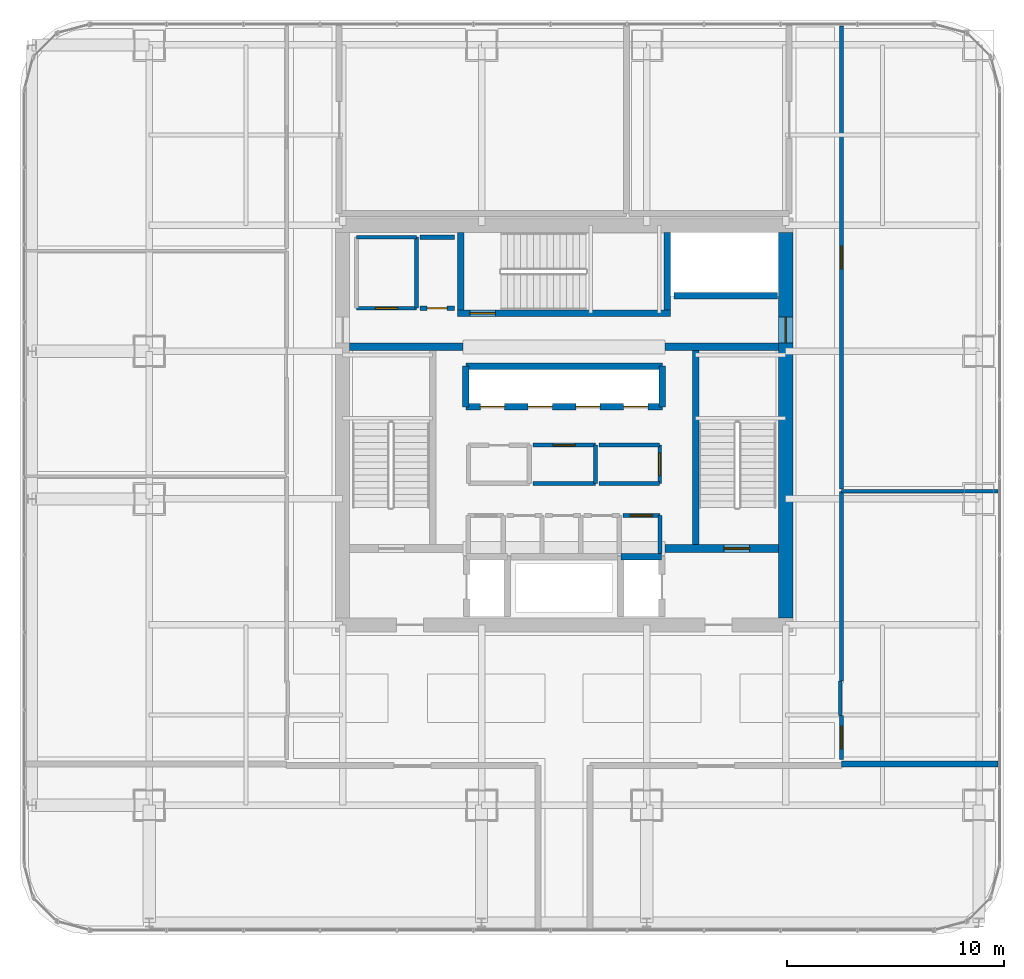
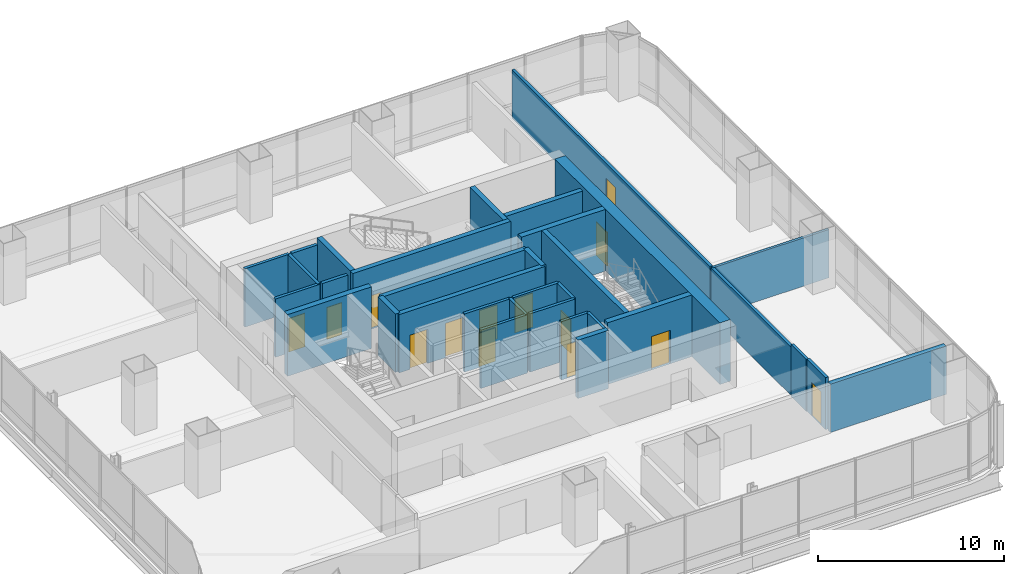
# One storey, part 30 of 36: 33 walls, 14 doors, 14 openings.
"""IFC4 building model written with IfcOpenShell, lengths in metres."""

from ifc_helpers import new_model, si_unit, direction, frame, frame_2d, origin, place, context, subcontext, project, spatial, rectangle, extrude, material, layer, layer_set, type_object, element, fill, save


model = new_model("IFC4")

# Units and contexts
model_context = context("Model", 3, precision=1e-05, world=origin(), true_north=direction((0.0, 1.0)))
body_context = subcontext(model_context, "Body", "Model", "MODEL_VIEW")
ifc_project = project(units=[si_unit("LENGTHUNIT", "METRE"), si_unit("AREAUNIT", "SQUARE_METRE"), si_unit("VOLUMEUNIT", "CUBIC_METRE"), si_unit("PLANEANGLEUNIT", "RADIAN"), si_unit("MASSUNIT", "GRAM", prefix="KILO")], contexts=[model_context])

# Site, building, storey
site_placement = place(None, origin())
site = spatial("IfcSite", under=ifc_project, at=site_placement, CompositionType="ELEMENT")
building_placement = place(site_placement, origin())
building = spatial("IfcBuilding", under=site, at=building_placement, Name="Punatoya Terracotta Tower", CompositionType="ELEMENT")
storey_placement = place(building_placement, frame((0.0, 0.0, 196.5)))
storey = spatial("IfcBuildingStorey", under=building, at=storey_placement, Name="L46", CompositionType="ELEMENT", Elevation=196.5)

# Wall
ifc_material_1 = material(Name="Concrete C40/50", Category="concrete")
ifc_layer_1 = layer(ifc_material_1, 0.280029296875)
ifc_layer_set_1 = layer_set([ifc_layer_1], Name="Concrete C40/50")
wall_type_1 = type_object("IfcWallType", Name="WL-AUD-280", PredefinedType="SOLIDWALL", material=ifc_layer_set_1)
wall_1_placement = place(storey_placement, frame((12.77001953125, -15.610107421875, 0.0), z_axis=(0.0, 0.0, 1.0), x_axis=(1.0, 0.0, 0.0)))
element("IfcWall", 1, at=wall_1_placement, inside=storey, type_object=wall_type_1, Name="L46 Open-Plan Executive Bistro Lounge Partition 32", PredefinedType="SOLIDWALL", context=body_context, shape_type="SweptSolid", body=[
    extrude(rectangle(XDim=7.199951171875, YDim=0.280029296875, at=frame_2d((3.60009765625, 0.0))), origin(), (0.0, 0.0, 1.0), 3.174072265625),
])

# Wall, opening, door
ifc_material_2 = material(Name="Concrete C60/75", Category="concrete")
ifc_layer_2 = layer(ifc_material_2, 0.64990234375)
ifc_layer_set_2 = layer_set([ifc_layer_2], Name="Concrete C60/75")
wall_type_2 = type_object("IfcWallType", Name="WL-COR-650", PredefinedType="SHEAR", material=ifc_layer_set_2)
wall_2_placement = place(storey_placement, frame((10.199951171875, 8.875, 0.0), z_axis=(0.0, 0.0, 1.0), x_axis=(0.0, -1.0, 0.0)))
wall_2 = element("IfcWall", 2, at=wall_2_placement, inside=storey, type_object=wall_type_2, Name="L46 Core Shear Wall E", PredefinedType="SHEAR", context=body_context, shape_type="SweptSolid", body=[
    extrude(rectangle(XDim=17.75, YDim=0.64990234375, at=frame_2d((8.875, 0.0))), origin(), (0.0, 0.0, 1.0), 4.050048828125),
])
opening_1_placement = place(wall_2_placement, frame((3.905029296875, 0.0, 0.0)))
opening_1 = element("IfcOpeningElement", 3, at=opening_1_placement, cuts=wall_2, Name="Opening SD-01", PredefinedType="OPENING", context=body_context, shape_type="SweptSolid", body=[
    extrude(rectangle(XDim=1.179931640625, YDim=2.199951171875, at=frame_2d((0.58984375, 1.10009765625))), frame((0.0, 0.3349609375, 0.0), z_axis=(0.0, -1.0, 0.0), x_axis=(1.0, 0.0, 0.0)), (0.0, 0.0, 1.0), 0.669921875),
])
ifc_material_3 = material(Name="Galvanised Steel Pressurized Stair Fire Door", Category="steel")
door_type_1 = type_object("IfcDoorType", Name="DR-STR-1180", OperationType="NOTDEFINED", PredefinedType="DOOR", material=ifc_material_3)
door_1_placement = place(opening_1_placement, origin())
door_1 = element("IfcDoor", 4, at=door_1_placement, inside=storey, type_object=door_type_1, Name="L46 Central Lift Lobby East Fire Door", OperationType="SINGLE_SWING_RIGHT", OverallHeight=2.199951171875, OverallWidth=1.179931640625, PredefinedType="DOOR", context=body_context, shape_type="SweptSolid", body=[
    extrude(rectangle(XDim=1.179931640625, YDim=2.199951171875, at=frame_2d((0.58984375, 1.10009765625))), frame((0.0, 0.02490234375, 0.0), z_axis=(0.0, -1.0, 0.0), x_axis=(1.0, 0.0, 0.0)), (0.0, 0.0, 1.0), 0.050048828125),
])
fill(opening_1, door_1)

# Wall
ifc_material_4 = material(Name="Gypsum Fireboard + Steel Stud", Category="steel")
ifc_layer_3 = layer(ifc_material_4, 0.179931640625)
ifc_layer_set_3 = layer_set([ifc_layer_3], Name="Gypsum Fireboard + Steel Stud")
wall_type_3 = type_object("IfcWallType", Name="WL-CORR-180", PredefinedType="PARTITIONING", material=ifc_layer_set_3)
wall_3_placement = place(storey_placement, frame((4.419921875, -5.89990234375, 0.0), z_axis=(0.0, 0.0, 1.0), x_axis=(0.0, 1.0, 0.0)))
element("IfcWall", 5, at=wall_3_placement, inside=storey, type_object=wall_type_3, Name="L46 Core Focus Booth Partition 10", PredefinedType="PARTITIONING", context=body_context, shape_type="SweptSolid", body=[
    extrude(rectangle(XDim=1.739990234375, YDim=0.179931640625, at=frame_2d((0.8701171875, 0.0))), origin(), (0.0, 0.0, 1.0), 3.830078125),
])

# Wall, opening, door
wall_4_placement = place(storey_placement, frame((4.419921875, -4.159912109375, 0.0), z_axis=(0.0, 0.0, 1.0), x_axis=(-1.0, 0.0, 0.0)))
wall_4 = element("IfcWall", 6, at=wall_4_placement, inside=storey, type_object=wall_type_3, Name="L46 Core Focus Booth Partition 11", PredefinedType="PARTITIONING", context=body_context, shape_type="SweptSolid", body=[
    extrude(rectangle(XDim=1.719970703125, YDim=0.179931640625, at=frame_2d((0.85986328125, 0.0))), origin(), (0.0, 0.0, 1.0), 3.830078125),
])
opening_2_placement = place(wall_4_placement, frame((0.35009765625, 0.0, 0.0)))
opening_2 = element("IfcOpeningElement", 7, at=opening_2_placement, cuts=wall_4, Name="Opening MD-01", PredefinedType="OPENING", context=body_context, shape_type="SweptSolid", body=[
    extrude(rectangle(XDim=1.02001953125, YDim=2.199951171875, at=frame_2d((0.510009765625, 1.10009765625))), frame((0.0, 0.099853515625, 0.0), z_axis=(0.0, -1.0, 0.0), x_axis=(1.0, 0.0, 0.0)), (0.0, 0.0, 1.0), 0.199951171875),
])
ifc_material_5 = material(Name="Aluminium + Acoustic Glass Leaf", Category="aluminium")
door_type_2 = type_object("IfcDoorType", Name="DR-MTG-1020", OperationType="NOTDEFINED", PredefinedType="DOOR", material=ifc_material_5)
door_2_placement = place(opening_2_placement, origin())
door_2 = element("IfcDoor", 8, at=door_2_placement, inside=storey, type_object=door_type_2, Name="L46 Focus Booth Door", OperationType="SINGLE_SWING_RIGHT", OverallHeight=2.199951171875, OverallWidth=1.02001953125, PredefinedType="DOOR", context=body_context, shape_type="SweptSolid", body=[
    extrude(rectangle(XDim=1.02001953125, YDim=2.199951171875, at=frame_2d((0.510009765625, 1.10009765625))), frame((0.0, 0.02490234375, 0.0), z_axis=(0.0, -1.0, 0.0), x_axis=(1.0, 0.0, 0.0)), (0.0, 0.0, 1.0), 0.050048828125),
])
fill(opening_2, door_2)

# Wall
wall_5_placement = place(storey_placement, frame((1.43994140625, -2.679931640625, 0.0), z_axis=(0.0, 0.0, 1.0), x_axis=(0.0, 1.0, 0.0)))
element("IfcWall", 9, at=wall_5_placement, inside=storey, type_object=wall_type_3, Name="L46 Center Core Briefing Pod Partition 16", PredefinedType="PARTITIONING", context=body_context, shape_type="SweptSolid", body=[
    extrude(rectangle(XDim=1.760009765625, YDim=0.179931640625, at=frame_2d((0.8798828125, 0.0))), origin(), (0.0, 0.0, 1.0), 3.830078125),
])

# Wall, opening, door
wall_6_placement = place(storey_placement, frame((1.43994140625, -0.919921875, 0.0), z_axis=(0.0, 0.0, 1.0), x_axis=(-1.0, 0.0, 0.0)))
wall_6 = element("IfcWall", 10, at=wall_6_placement, inside=storey, type_object=wall_type_3, Name="L46 Center Core Briefing Pod Partition 17", PredefinedType="PARTITIONING", context=body_context, shape_type="SweptSolid", body=[
    extrude(rectangle(XDim=2.8798828125, YDim=0.179931640625, at=frame_2d((1.43994140625, 0.0))), origin(), (0.0, 0.0, 1.0), 3.830078125),
])
opening_3_placement = place(wall_6_placement, frame((0.929931640625, 0.0, 0.0)))
opening_3 = element("IfcOpeningElement", 11, at=opening_3_placement, cuts=wall_6, Name="Opening MD-01", PredefinedType="OPENING", context=body_context, shape_type="SweptSolid", body=[
    extrude(rectangle(XDim=1.02001953125, YDim=2.199951171875, at=frame_2d((0.510009765625, 1.10009765625))), frame((0.0, 0.099853515625, 0.0), z_axis=(0.0, -1.0, 0.0), x_axis=(1.0, 0.0, 0.0)), (0.0, 0.0, 1.0), 0.199951171875),
])
door_3_placement = place(opening_3_placement, origin())
door_3 = element("IfcDoor", 12, at=door_3_placement, inside=storey, type_object=door_type_2, Name="L46 Center Briefing Pod Door", OperationType="SINGLE_SWING_RIGHT", OverallHeight=2.199951171875, OverallWidth=1.02001953125, PredefinedType="DOOR", context=body_context, shape_type="SweptSolid", body=[
    extrude(rectangle(XDim=1.02001953125, YDim=2.199951171875, at=frame_2d((0.510009765625, 1.10009765625))), frame((0.0, 0.02490234375, 0.0), z_axis=(0.0, -1.0, 0.0), x_axis=(1.0, 0.0, 0.0)), (0.0, 0.0, 1.0), 0.050048828125),
])
fill(opening_3, door_3)

# Wall
wall_7_placement = place(storey_placement, frame((-1.43994140625, -2.679931640625, 0.0), z_axis=(0.0, 0.0, 1.0), x_axis=(1.0, 0.0, 0.0)))
element("IfcWall", 13, at=wall_7_placement, inside=storey, type_object=wall_type_3, Name="L46 Center Core Briefing Pod Partition 18", PredefinedType="PARTITIONING", context=body_context, shape_type="SweptSolid", body=[
    extrude(rectangle(XDim=2.8798828125, YDim=0.179931640625, at=frame_2d((1.43994140625, 0.0))), origin(), (0.0, 0.0, 1.0), 3.830078125),
])

# Wall, opening, door
wall_8_placement = place(storey_placement, frame((4.39990234375, -2.679931640625, 0.0), z_axis=(0.0, 0.0, 1.0), x_axis=(0.0, 1.0, 0.0)))
wall_8 = element("IfcWall", 14, at=wall_8_placement, inside=storey, type_object=wall_type_3, Name="L46 Right Core Copy Room Partition 19", PredefinedType="PARTITIONING", context=body_context, shape_type="SweptSolid", body=[
    extrude(rectangle(XDim=1.760009765625, YDim=0.179931640625, at=frame_2d((0.8798828125, 0.0))), origin(), (0.0, 0.0, 1.0), 3.830078125),
])
opening_4_placement = place(wall_8_placement, frame((0.35498046875, 0.0, 0.0)))
opening_4 = element("IfcOpeningElement", 15, at=opening_4_placement, cuts=wall_8, Name="Opening OD-01", PredefinedType="OPENING", context=body_context, shape_type="SweptSolid", body=[
    extrude(rectangle(XDim=1.050048828125, YDim=2.199951171875, at=frame_2d((0.52490234375, 1.10009765625))), frame((0.0, 0.099853515625, 0.0), z_axis=(0.0, -1.0, 0.0), x_axis=(1.0, 0.0, 0.0)), (0.0, 0.0, 1.0), 0.199951171875),
])
ifc_material_6 = material(Name="Bengal Teak Solid-Core Leaf")
door_type_3 = type_object("IfcDoorType", Name="DR-OFF-1050", OperationType="NOTDEFINED", PredefinedType="DOOR", material=ifc_material_6)
door_4_placement = place(opening_4_placement, origin())
door_4 = element("IfcDoor", 16, at=door_4_placement, inside=storey, type_object=door_type_3, Name="L46 Right Copy Room Door", OperationType="SINGLE_SWING_LEFT", OverallHeight=2.199951171875, OverallWidth=1.050048828125, PredefinedType="DOOR", context=body_context, shape_type="SweptSolid", body=[
    extrude(rectangle(XDim=1.050048828125, YDim=2.199951171875, at=frame_2d((0.52490234375, 1.10009765625))), frame((0.0, 0.02490234375, 0.0), z_axis=(0.0, -1.0, 0.0), x_axis=(1.0, 0.0, 0.0)), (0.0, 0.0, 1.0), 0.050048828125),
])
fill(opening_4, door_4)

# Walls
for number, where, z_axis, x_axis, name in (
    (17, (4.39990234375, -0.919921875, 0.0), (0.0, 0.0, 1.0), (-1.0, 0.0, 0.0), "L46 Right Core Copy Room Partition 20"),
    (18, (1.60009765625, -2.679931640625, 0.0), (0.0, 0.0, 1.0), (1.0, 0.0, 0.0), "L46 Right Core Copy Room Partition 21"),
):
    element("IfcWall", number, at=place(storey_placement, frame(where, z_axis=z_axis, x_axis=x_axis)), inside=storey, type_object=wall_type_3, Name=name, PredefinedType="PARTITIONING", context=body_context, shape_type="SweptSolid", body=[
        extrude(rectangle(XDim=2.7998046875, YDim=0.179931640625, at=frame_2d((1.39990234375, 0.0))), origin(), (0.0, 0.0, 1.0), 3.830078125),
    ])
wall_9_placement = place(storey_placement, frame((-6.800048828125, 5.3798828125, 0.0), z_axis=(0.0, 0.0, 1.0), x_axis=(0.0, 1.0, 0.0)))
element("IfcWall", 19, at=wall_9_placement, inside=storey, type_object=wall_type_3, Name="L46 West Core Briefing Pod Partition 22", PredefinedType="PARTITIONING", context=body_context, shape_type="SweptSolid", body=[
    extrude(rectangle(XDim=3.27001953125, YDim=0.179931640625, at=frame_2d((1.635009765625, 0.0))), origin(), (0.0, 0.0, 1.0), 3.830078125),
])
wall_10_placement = place(storey_placement, frame((-6.800048828125, 8.64990234375, 0.0), z_axis=(0.0, 0.0, 1.0), x_axis=(-1.0, 0.0, 0.0)))
element("IfcWall", 20, at=wall_10_placement, inside=storey, type_object=wall_type_3, Name="L46 West Core Briefing Pod Partition 23", PredefinedType="PARTITIONING", context=body_context, shape_type="SweptSolid", body=[
    extrude(rectangle(XDim=2.75, YDim=0.179931640625, at=frame_2d((1.375, 0.0))), origin(), (0.0, 0.0, 1.0), 3.830078125),
])

# Wall, opening, door
wall_11_placement = place(storey_placement, frame((-9.550048828125, 5.3798828125, 0.0), z_axis=(0.0, 0.0, 1.0), x_axis=(1.0, 0.0, 0.0)))
wall_11 = element("IfcWall", 21, at=wall_11_placement, inside=storey, type_object=wall_type_3, Name="L46 West Core Briefing Pod Partition 25", PredefinedType="PARTITIONING", context=body_context, shape_type="SweptSolid", body=[
    extrude(rectangle(XDim=2.75, YDim=0.179931640625, at=frame_2d((1.375, 0.0))), origin(), (0.0, 0.0, 1.0), 3.830078125),
])
opening_5_placement = place(wall_11_placement, frame((0.864990234375, 0.0, 0.0)))
opening_5 = element("IfcOpeningElement", 22, at=opening_5_placement, cuts=wall_11, Name="Opening MD-01", PredefinedType="OPENING", context=body_context, shape_type="SweptSolid", body=[
    extrude(rectangle(XDim=1.02001953125, YDim=2.199951171875, at=frame_2d((0.510009765625, 1.10009765625))), frame((0.0, 0.099853515625, 0.0), z_axis=(0.0, -1.0, 0.0), x_axis=(1.0, 0.0, 0.0)), (0.0, 0.0, 1.0), 0.199951171875),
])
door_5_placement = place(opening_5_placement, origin())
door_5 = element("IfcDoor", 23, at=door_5_placement, inside=storey, type_object=door_type_2, Name="L46 West Briefing Pod Door", OperationType="SINGLE_SWING_RIGHT", OverallHeight=2.199951171875, OverallWidth=1.02001953125, PredefinedType="DOOR", context=body_context, shape_type="SweptSolid", body=[
    extrude(rectangle(XDim=1.02001953125, YDim=2.199951171875, at=frame_2d((0.510009765625, 1.10009765625))), frame((0.0, 0.02490234375, 0.0), z_axis=(0.0, -1.0, 0.0), x_axis=(1.0, 0.0, 0.0)), (0.0, 0.0, 1.0), 0.050048828125),
])
fill(opening_5, door_5)

wall_12_placement = place(storey_placement, frame((12.77001953125, -15.389892578125, 0.0), z_axis=(0.0, 0.0, 1.0), x_axis=(0.0, 1.0, 0.0)))
wall_12 = element("IfcWall", 24, at=wall_12_placement, inside=storey, type_object=wall_type_3, Name="L46 Open-Plan Catering Tea Pantry Partition 34", PredefinedType="PARTITIONING", context=body_context, shape_type="SweptSolid", body=[
    extrude(rectangle(XDim=2.010009765625, YDim=0.179931640625, at=frame_2d((1.0048828125, 0.0))), origin(), (0.0, 0.0, 1.0), 3.424072265625),
])
opening_6_placement = place(wall_12_placement, frame((0.47998046875, 0.0, 0.0)))
opening_6 = element("IfcOpeningElement", 25, at=opening_6_placement, cuts=wall_12, Name="Opening OD-01", PredefinedType="OPENING", context=body_context, shape_type="SweptSolid", body=[
    extrude(rectangle(XDim=1.050048828125, YDim=2.199951171875, at=frame_2d((0.52490234375, 1.10009765625))), frame((0.0, 0.099853515625, 0.0), z_axis=(0.0, -1.0, 0.0), x_axis=(1.0, 0.0, 0.0)), (0.0, 0.0, 1.0), 0.199951171875),
])
door_6_placement = place(opening_6_placement, origin())
door_6 = element("IfcDoor", 26, at=door_6_placement, inside=storey, type_object=door_type_3, Name="L46 Open-Plan Catering Tea Pantry Door", OperationType="SINGLE_SWING_RIGHT", OverallHeight=2.199951171875, OverallWidth=1.050048828125, PredefinedType="DOOR", context=body_context, shape_type="SweptSolid", body=[
    extrude(rectangle(XDim=1.050048828125, YDim=2.199951171875, at=frame_2d((0.52490234375, 1.10009765625))), frame((0.0, 0.02490234375, 0.0), z_axis=(0.0, -1.0, 0.0), x_axis=(1.0, 0.0, 0.0)), (0.0, 0.0, 1.0), 0.050048828125),
])
fill(opening_6, door_6)

# Wall
wall_13_placement = place(storey_placement, frame((12.77001953125, -11.77001953125, 0.0), z_axis=(0.0, 0.0, 1.0), x_axis=(0.0, 1.0, 0.0)))
element("IfcWall", 27, at=wall_13_placement, inside=storey, type_object=wall_type_3, Name="L46 Open-Plan Catering Tea Pantry Partition 36", PredefinedType="PARTITIONING", context=body_context, shape_type="SweptSolid", body=[
    extrude(rectangle(XDim=8.716064453125, YDim=0.179931640625, at=frame_2d((4.35791015625, 0.0))), origin(), (0.0, 0.0, 1.0), 3.174072265625),
])

# Wall, opening, door
wall_14_placement = place(storey_placement, frame((12.77001953125, -2.93408203125, 0.0), z_axis=(0.0, 0.0, 1.0), x_axis=(0.0, 1.0, 0.0)))
wall_14 = element("IfcWall", 28, at=wall_14_placement, inside=storey, type_object=wall_type_3, Name="L46 Wellness Relaxation Lounge Partition 44", PredefinedType="PARTITIONING", context=body_context, shape_type="SweptSolid", body=[
    extrude(rectangle(XDim=21.30419921875, YDim=0.179931640625, at=frame_2d((10.652099609375, 0.0))), origin(), (0.0, 0.0, 1.0), 3.174072265625),
])
opening_7_placement = place(wall_14_placement, frame((10.126953125, 0.0, 0.0)))
opening_7 = element("IfcOpeningElement", 29, at=opening_7_placement, cuts=wall_14, Name="Opening OD-01", PredefinedType="OPENING", context=body_context, shape_type="SweptSolid", body=[
    extrude(rectangle(XDim=1.050048828125, YDim=2.199951171875, at=frame_2d((0.52490234375, 1.10009765625))), frame((0.0, 0.099853515625, 0.0), z_axis=(0.0, -1.0, 0.0), x_axis=(1.0, 0.0, 0.0)), (0.0, 0.0, 1.0), 0.199951171875),
])
door_7_placement = place(opening_7_placement, origin())
door_7 = element("IfcDoor", 30, at=door_7_placement, inside=storey, type_object=door_type_3, Name="L46 Wellness Relaxation Lounge Door", OperationType="SINGLE_SWING_LEFT", OverallHeight=2.199951171875, OverallWidth=1.050048828125, PredefinedType="DOOR", context=body_context, shape_type="SweptSolid", body=[
    extrude(rectangle(XDim=1.050048828125, YDim=2.199951171875, at=frame_2d((0.52490234375, 1.10009765625))), frame((0.0, 0.02490234375, 0.0), z_axis=(0.0, -1.0, 0.0), x_axis=(1.0, 0.0, 0.0)), (0.0, 0.0, 1.0), 0.050048828125),
])
fill(opening_7, door_7)

# Wall
ifc_layer_4 = layer(ifc_material_1, 0.199951171875)
ifc_layer_set_4 = layer_set([ifc_layer_4], Name="Concrete C40/50")
wall_type_4 = type_object("IfcWallType", Name="WL-INT-200", PredefinedType="SOLIDWALL", material=ifc_layer_set_4)
wall_15_placement = place(storey_placement, frame((-5.050048828125, 8.64990234375, 0.0), z_axis=(0.0, 0.0, 1.0), x_axis=(-1.0, 0.0, 0.0)))
element("IfcWall", 31, at=wall_15_placement, inside=storey, type_object=wall_type_4, Name="L46 West Core Supply Store Partition 26", PredefinedType="SOLIDWALL", context=body_context, shape_type="SweptSolid", body=[
    extrude(rectangle(XDim=1.58984375, YDim=0.199951171875, at=frame_2d((0.794921875, 0.0))), origin(), (0.0, 0.0, 1.0), 3.830078125),
])

# Wall, opening, door
wall_16_placement = place(storey_placement, frame((-6.639892578125, 5.3798828125, 0.0), z_axis=(0.0, 0.0, 1.0), x_axis=(1.0, 0.0, 0.0)))
wall_16 = element("IfcWall", 32, at=wall_16_placement, inside=storey, type_object=wall_type_4, Name="L46 West Core Supply Store Partition 27", PredefinedType="SOLIDWALL", context=body_context, shape_type="SweptSolid", body=[
    extrude(rectangle(XDim=1.58984375, YDim=0.199951171875, at=frame_2d((0.794921875, 0.0))), origin(), (0.0, 0.0, 1.0), 3.830078125),
])
opening_8_placement = place(wall_16_placement, frame((0.3349609375, 0.0, 0.0)))
opening_8 = element("IfcOpeningElement", 33, at=opening_8_placement, cuts=wall_16, Name="Opening FD-R1", PredefinedType="OPENING", context=body_context, shape_type="SweptSolid", body=[
    extrude(rectangle(XDim=0.919921875, YDim=2.10009765625, at=frame_2d((0.4599609375, 1.050048828125))), frame((0.0, 0.10986328125, 0.0), z_axis=(0.0, -1.0, 0.0), x_axis=(1.0, 0.0, 0.0)), (0.0, 0.0, 1.0), 0.219970703125),
])
ifc_material_7 = material(Name="Galvanised Steel Riser Fire Access Door", Category="steel")
door_type_4 = type_object("IfcDoorType", Name="DR-RSR-920", OperationType="NOTDEFINED", PredefinedType="DOOR", material=ifc_material_7)
door_8_placement = place(opening_8_placement, origin())
door_8 = element("IfcDoor", 34, at=door_8_placement, inside=storey, type_object=door_type_4, Name="L46 West Core Supply Store Fire Door", OperationType="SINGLE_SWING_LEFT", OverallHeight=2.10009765625, OverallWidth=0.919921875, PredefinedType="DOOR", context=body_context, shape_type="SweptSolid", body=[
    extrude(rectangle(XDim=0.919921875, YDim=2.10009765625, at=frame_2d((0.4599609375, 1.050048828125))), frame((0.0, 0.02490234375, 0.0), z_axis=(0.0, -1.0, 0.0), x_axis=(1.0, 0.0, 0.0)), (0.0, 0.0, 1.0), 0.050048828125),
])
fill(opening_8, door_8)

# Walls
ifc_layer_5 = layer(ifc_material_1, 0.300048828125)
ifc_layer_set_5 = layer_set([ifc_layer_5], Name="Concrete C40/50")
wall_type_5 = type_object("IfcWallType", Name="WL-SHF-300", PredefinedType="SOLIDWALL", material=ifc_layer_set_5)
wall_17_placement = place(storey_placement, frame((6.050048828125, 3.449951171875, 0.0), z_axis=(0.0, 0.0, 1.0), x_axis=(0.0, -1.0, 0.0)))
element("IfcWall", 35, at=wall_17_placement, inside=storey, type_object=wall_type_5, Name="L46 Structural Stair Shaft Wall SW-ST2-W", PredefinedType="SOLIDWALL", context=body_context, shape_type="SweptSolid", body=[
    extrude(rectangle(XDim=8.949951171875, YDim=0.300048828125, at=frame_2d((4.47509765625, 0.0))), origin(), (0.0, 0.0, 1.0), 4.050048828125),
])
for number, where, z_axis, x_axis, name in (
    (36, (-4.75, 5.300048828125, 0.0), (0.0, 0.0, 1.0), (0.0, 1.0, 0.0), "L46 Structural Stair Shaft Wall SW-ST3-W"),
    (37, (4.75, 8.875, 0.0), (0.0, 0.0, 1.0), (0.0, -1.0, 0.0), "L46 Structural Stair Shaft Wall SW-ST3-E"),
):
    element("IfcWall", number, at=place(storey_placement, frame(where, z_axis=z_axis, x_axis=x_axis)), inside=storey, type_object=wall_type_5, Name=name, PredefinedType="SOLIDWALL", context=body_context, shape_type="SweptSolid", body=[
        extrude(rectangle(XDim=3.574951171875, YDim=0.300048828125, at=frame_2d((1.78759765625, 0.0))), origin(), (0.0, 0.0, 1.0), 4.050048828125),
    ])

# Wall, opening, door
wall_18_placement = place(storey_placement, frame((-4.89990234375, 5.14990234375, 0.0), z_axis=(0.0, 0.0, 1.0), x_axis=(1.0, 0.0, 0.0)))
wall_18 = element("IfcWall", 38, at=wall_18_placement, inside=storey, type_object=wall_type_5, Name="L46 Structural Stair Shaft Wall SW-ST3-S", PredefinedType="SOLIDWALL", context=body_context, shape_type="SweptSolid", body=[
    extrude(rectangle(XDim=9.7998046875, YDim=0.300048828125, at=frame_2d((4.89990234375, 0.0))), origin(), (0.0, 0.0, 1.0), 4.050048828125),
])
opening_9_placement = place(wall_18_placement, frame((0.56005859375, 0.0, 0.0)))
opening_9 = element("IfcOpeningElement", 39, at=opening_9_placement, cuts=wall_18, Name="Opening SD-01", PredefinedType="OPENING", context=body_context, shape_type="SweptSolid", body=[
    extrude(rectangle(XDim=1.179931640625, YDim=2.199951171875, at=frame_2d((0.58984375, 1.10009765625))), frame((0.0, 0.159912109375, 0.0), z_axis=(0.0, -1.0, 0.0), x_axis=(1.0, 0.0, 0.0)), (0.0, 0.0, 1.0), 0.320068359375),
])
door_9_placement = place(opening_9_placement, origin())
door_9 = element("IfcDoor", 40, at=door_9_placement, inside=storey, type_object=door_type_1, Name="L46 Stair ST-3 Core Lobby Fire Door", OperationType="SINGLE_SWING_LEFT", OverallHeight=2.199951171875, OverallWidth=1.179931640625, PredefinedType="DOOR", context=body_context, shape_type="SweptSolid", body=[
    extrude(rectangle(XDim=1.179931640625, YDim=2.199951171875, at=frame_2d((0.58984375, 1.10009765625))), frame((0.0, 0.02490234375, 0.0), z_axis=(0.0, -1.0, 0.0), x_axis=(1.0, 0.0, 0.0)), (0.0, 0.0, 1.0), 0.050048828125),
])
fill(opening_9, door_9)

# Wall
wall_19_placement = place(storey_placement, frame((2.610107421875, -6.050048828125, 0.0), z_axis=(0.0, 0.0, 1.0), x_axis=(1.0, 0.0, 0.0)))
element("IfcWall", 41, at=wall_19_placement, inside=storey, type_object=wall_type_5, Name="L46 FFL-2 North Hoistway Wall", PredefinedType="SOLIDWALL", context=body_context, shape_type="SweptSolid", body=[
    extrude(rectangle(XDim=1.8798828125, YDim=0.300048828125, at=frame_2d((0.93994140625, 0.0))), origin(), (0.0, 0.0, 1.0), 3.830078125),
])

# Wall, openings, doors
wall_20_placement = place(storey_placement, frame((-4.52001953125, 0.840087890625, 0.0), z_axis=(0.0, 0.0, 1.0), x_axis=(1.0, 0.0, 0.0)))
wall_20 = element("IfcWall", 42, at=wall_20_placement, inside=storey, type_object=wall_type_5, Name="L46 North Lift Bank Front Shaft Wall", PredefinedType="SOLIDWALL", context=body_context, shape_type="SweptSolid", body=[
    extrude(rectangle(XDim=9.0400390625, YDim=0.300048828125, at=frame_2d((4.52001953125, 0.0))), origin(), (0.0, 0.0, 1.0), 3.830078125),
])
opening_10_placement = place(wall_20_placement, frame((0.659912109375, 0.0, 0.0)))
opening_10 = element("IfcOpeningElement", 43, at=opening_10_placement, cuts=wall_20, Name="Opening LD-02", PredefinedType="OPENING", context=body_context, shape_type="SweptSolid", body=[
    extrude(rectangle(XDim=1.1201171875, YDim=2.25, at=frame_2d((0.56005859375, 1.125))), frame((0.0, 0.159912109375, 0.0), z_axis=(0.0, -1.0, 0.0), x_axis=(1.0, 0.0, 0.0)), (0.0, 0.0, 1.0), 0.320068359375),
])
opening_11_placement = place(wall_20_placement, frame((2.860107421875, 0.0, 0.0)))
opening_11 = element("IfcOpeningElement", 44, at=opening_11_placement, cuts=wall_20, Name="Opening LD-02", PredefinedType="OPENING", context=body_context, shape_type="SweptSolid", body=[
    extrude(rectangle(XDim=1.1201171875, YDim=2.25, at=frame_2d((0.56005859375, 1.125))), frame((0.0, 0.159912109375, 0.0), z_axis=(0.0, -1.0, 0.0), x_axis=(1.0, 0.0, 0.0)), (0.0, 0.0, 1.0), 0.320068359375),
])
opening_12_placement = place(wall_20_placement, frame((5.06005859375, 0.0, 0.0)))
opening_12 = element("IfcOpeningElement", 45, at=opening_12_placement, cuts=wall_20, Name="Opening LD-02", PredefinedType="OPENING", context=body_context, shape_type="SweptSolid", body=[
    extrude(rectangle(XDim=1.1201171875, YDim=2.25, at=frame_2d((0.56005859375, 1.125))), frame((0.0, 0.159912109375, 0.0), z_axis=(0.0, -1.0, 0.0), x_axis=(1.0, 0.0, 0.0)), (0.0, 0.0, 1.0), 0.320068359375),
])
opening_13_placement = place(wall_20_placement, frame((7.260009765625, 0.0, 0.0)))
opening_13 = element("IfcOpeningElement", 46, at=opening_13_placement, cuts=wall_20, Name="Opening LD-02", PredefinedType="OPENING", context=body_context, shape_type="SweptSolid", body=[
    extrude(rectangle(XDim=1.1201171875, YDim=2.25, at=frame_2d((0.56005859375, 1.125))), frame((0.0, 0.159912109375, 0.0), z_axis=(0.0, -1.0, 0.0), x_axis=(1.0, 0.0, 0.0)), (0.0, 0.0, 1.0), 0.320068359375),
])
ifc_material_8 = material(Name="Stainless Steel Lift Landing Door", Category="steel")
door_type_5 = type_object("IfcDoorType", Name="DR-LND-1120", OperationType="NOTDEFINED", PredefinedType="DOOR", material=ifc_material_8)
door_10_placement = place(opening_10_placement, origin())
door_10 = element("IfcDoor", 47, at=door_10_placement, inside=storey, type_object=door_type_5, Name="L46 Lift PL-M1 Sliding Landing Door", OperationType="DOUBLE_DOOR_SLIDING", OverallHeight=2.25, OverallWidth=1.1201171875, PredefinedType="DOOR", context=body_context, shape_type="SweptSolid", body=[
    extrude(rectangle(XDim=1.1201171875, YDim=2.25, at=frame_2d((0.56005859375, 1.125))), frame((0.0, 0.02490234375, 0.0), z_axis=(0.0, -1.0, 0.0), x_axis=(1.0, 0.0, 0.0)), (0.0, 0.0, 1.0), 0.050048828125),
])
fill(opening_10, door_10)
door_11_placement = place(opening_11_placement, origin())
door_11 = element("IfcDoor", 48, at=door_11_placement, inside=storey, type_object=door_type_5, Name="L46 Lift PL-M2 Sliding Landing Door", OperationType="DOUBLE_DOOR_SLIDING", OverallHeight=2.25, OverallWidth=1.1201171875, PredefinedType="DOOR", context=body_context, shape_type="SweptSolid", body=[
    extrude(rectangle(XDim=1.1201171875, YDim=2.25, at=frame_2d((0.56005859375, 1.125))), frame((0.0, 0.02490234375, 0.0), z_axis=(0.0, -1.0, 0.0), x_axis=(1.0, 0.0, 0.0)), (0.0, 0.0, 1.0), 0.050048828125),
])
fill(opening_11, door_11)
door_12_placement = place(opening_12_placement, origin())
door_12 = element("IfcDoor", 49, at=door_12_placement, inside=storey, type_object=door_type_5, Name="L46 Lift PL-M3 Sliding Landing Door", OperationType="DOUBLE_DOOR_SLIDING", OverallHeight=2.25, OverallWidth=1.1201171875, PredefinedType="DOOR", context=body_context, shape_type="SweptSolid", body=[
    extrude(rectangle(XDim=1.1201171875, YDim=2.25, at=frame_2d((0.56005859375, 1.125))), frame((0.0, 0.02490234375, 0.0), z_axis=(0.0, -1.0, 0.0), x_axis=(1.0, 0.0, 0.0)), (0.0, 0.0, 1.0), 0.050048828125),
])
fill(opening_12, door_12)
door_13_placement = place(opening_13_placement, origin())
door_13 = element("IfcDoor", 50, at=door_13_placement, inside=storey, type_object=door_type_5, Name="L46 Lift PL-M4 Sliding Landing Door", OperationType="DOUBLE_DOOR_SLIDING", OverallHeight=2.25, OverallWidth=1.1201171875, PredefinedType="DOOR", context=body_context, shape_type="SweptSolid", body=[
    extrude(rectangle(XDim=1.1201171875, YDim=2.25, at=frame_2d((0.56005859375, 1.125))), frame((0.0, 0.02490234375, 0.0), z_axis=(0.0, -1.0, 0.0), x_axis=(1.0, 0.0, 0.0)), (0.0, 0.0, 1.0), 0.050048828125),
])
fill(opening_13, door_13)

# Walls
wall_21_placement = place(storey_placement, frame((-4.52001953125, 2.719970703125, 0.0), z_axis=(0.0, 0.0, 1.0), x_axis=(1.0, 0.0, 0.0)))
element("IfcWall", 51, at=wall_21_placement, inside=storey, type_object=wall_type_5, Name="L46 North Lift Bank Rear Shaft Wall", PredefinedType="SOLIDWALL", context=body_context, shape_type="SweptSolid", body=[
    extrude(rectangle(XDim=9.0400390625, YDim=0.300048828125, at=frame_2d((4.52001953125, 0.0))), origin(), (0.0, 0.0, 1.0), 3.830078125),
])
for number, where, z_axis, x_axis, name in (
    (52, (-4.52001953125, 0.840087890625, 0.0), (0.0, 0.0, 1.0), (0.0, 1.0, 0.0), "L46 North Lift Bank West End Wall"),
    (53, (4.52001953125, 0.840087890625, 0.0), (0.0, 0.0, 1.0), (0.0, 1.0, 0.0), "L46 North Lift Bank East End Wall"),
):
    element("IfcWall", number, at=place(storey_placement, frame(where, z_axis=z_axis, x_axis=x_axis)), inside=storey, type_object=wall_type_5, Name=name, PredefinedType="SOLIDWALL", context=body_context, shape_type="SweptSolid", body=[
        extrude(rectangle(XDim=1.8798828125, YDim=0.300048828125, at=frame_2d((0.93994140625, 0.0))), origin(), (0.0, 0.0, 1.0), 3.830078125),
    ])
wall_22_placement = place(storey_placement, frame((5.06005859375, 5.949951171875, 0.0), z_axis=(0.0, 0.0, 1.0), x_axis=(1.0, 0.0, 0.0)))
element("IfcWall", 54, at=wall_22_placement, inside=storey, type_object=wall_type_5, Name="L46 Shuttle SL-2 South Hoistway Wall", PredefinedType="SOLIDWALL", context=body_context, shape_type="SweptSolid", body=[
    extrude(rectangle(XDim=4.760009765625, YDim=0.300048828125, at=frame_2d((2.3798828125, 0.0))), origin(), (0.0, 0.0, 1.0), 3.830078125),
])

# Wall, opening, door
ifc_material_9 = material(Name="Concrete C50/60", Category="concrete")
ifc_layer_6 = layer(ifc_material_9, 0.35009765625)
ifc_layer_set_6 = layer_set([ifc_layer_6], Name="Concrete C50/60")
wall_type_6 = type_object("IfcWallType", Name="WL-SHF-350", PredefinedType="SOLIDWALL", material=ifc_layer_set_6)
wall_23_placement = place(storey_placement, frame((4.64990234375, -5.679931640625, 0.0), z_axis=(0.0, 0.0, 1.0), x_axis=(1.0, 0.0, 0.0)))
wall_23 = element("IfcWall", 55, at=wall_23_placement, inside=storey, type_object=wall_type_6, Name="L46 Core Web Wall CSW-R", PredefinedType="SOLIDWALL", context=body_context, shape_type="SweptSolid", body=[
    extrude(rectangle(XDim=5.22509765625, YDim=0.35009765625, at=frame_2d((2.612548828125, 0.0))), origin(), (0.0, 0.0, 1.0), 4.050048828125),
])
opening_14_placement = place(wall_23_placement, frame((2.7099609375, 0.0, 0.0)))
opening_14 = element("IfcOpeningElement", 56, at=opening_14_placement, cuts=wall_23, Name="Opening SD-01", PredefinedType="OPENING", context=body_context, shape_type="SweptSolid", body=[
    extrude(rectangle(XDim=1.179931640625, YDim=2.199951171875, at=frame_2d((0.58984375, 1.10009765625))), frame((0.0, 0.18505859375, 0.0), z_axis=(0.0, -1.0, 0.0), x_axis=(1.0, 0.0, 0.0)), (0.0, 0.0, 1.0), 0.3701171875),
])
door_14_placement = place(opening_14_placement, origin())
door_14 = element("IfcDoor", 57, at=door_14_placement, inside=storey, type_object=door_type_1, Name="L46 Stair ST-2 Smokeproof Lobby Fire Door", OperationType="SINGLE_SWING_RIGHT", OverallHeight=2.199951171875, OverallWidth=1.179931640625, PredefinedType="DOOR", context=body_context, shape_type="SweptSolid", body=[
    extrude(rectangle(XDim=1.179931640625, YDim=2.199951171875, at=frame_2d((0.58984375, 1.10009765625))), frame((0.0, 0.02490234375, 0.0), z_axis=(0.0, -1.0, 0.0), x_axis=(1.0, 0.0, 0.0)), (0.0, 0.0, 1.0), 0.050048828125),
])
fill(opening_14, door_14)

# Walls
for number, where, z_axis, x_axis, name in (
    (58, (-9.875, 3.60009765625, 0.0), (0.0, 0.0, 1.0), (1.0, 0.0, 0.0), "L46 Core Web Wall CNW-L"),
    (59, (4.64990234375, 3.60009765625, 0.0), (0.0, 0.0, 1.0), (1.0, 0.0, 0.0), "L46 Core Web Wall CNW-R"),
):
    element("IfcWall", number, at=place(storey_placement, frame(where, z_axis=z_axis, x_axis=x_axis)), inside=storey, type_object=wall_type_6, Name=name, PredefinedType="SOLIDWALL", context=body_context, shape_type="SweptSolid", body=[
        extrude(rectangle(XDim=5.22509765625, YDim=0.35009765625, at=frame_2d((2.612548828125, 0.0))), origin(), (0.0, 0.0, 1.0), 4.050048828125),
    ])
ifc_material_10 = material(Name="Masonry Blockwork + Ceramic Tile", Category="masonry")
ifc_layer_7 = layer(ifc_material_10, 0.159912109375)
ifc_layer_set_7 = layer_set([ifc_layer_7], Name="Masonry Blockwork + Ceramic Tile")
wall_type_7 = type_object("IfcWallType", Name="WL-WET-160", PredefinedType="PARTITIONING", material=ifc_layer_set_7)
wall_24_placement = place(storey_placement, frame((12.7099609375, -13.3798828125, 0.0), z_axis=(0.0, 0.0, 1.0), x_axis=(0.0, 1.0, 0.0)))
element("IfcWall", 60, at=wall_24_placement, inside=storey, type_object=wall_type_7, Name="L46 Open-Plan Catering Tea Pantry Partition 35", PredefinedType="PARTITIONING", context=body_context, shape_type="SweptSolid", body=[
    extrude(rectangle(XDim=1.60986328125, YDim=0.159912109375, at=frame_2d((0.804931640625, 0.0))), origin(), (0.0, 0.0, 1.0), 3.424072265625),
])
wall_25_placement = place(storey_placement, frame((12.77001953125, -3.053955078125, 0.0), z_axis=(0.0, 0.0, 1.0), x_axis=(1.0, 0.0, 0.0)))
element("IfcWall", 61, at=wall_25_placement, inside=storey, type_object=wall_type_7, Name="L46 Open-Plan Catering Tea Pantry Partition 37", PredefinedType="PARTITIONING", context=body_context, shape_type="SweptSolid", body=[
    extrude(rectangle(XDim=7.199951171875, YDim=0.159912109375, at=frame_2d((3.60009765625, 0.0))), origin(), (0.0, 0.0, 1.0), 3.174072265625),
])

save(model, "model.ifc")
